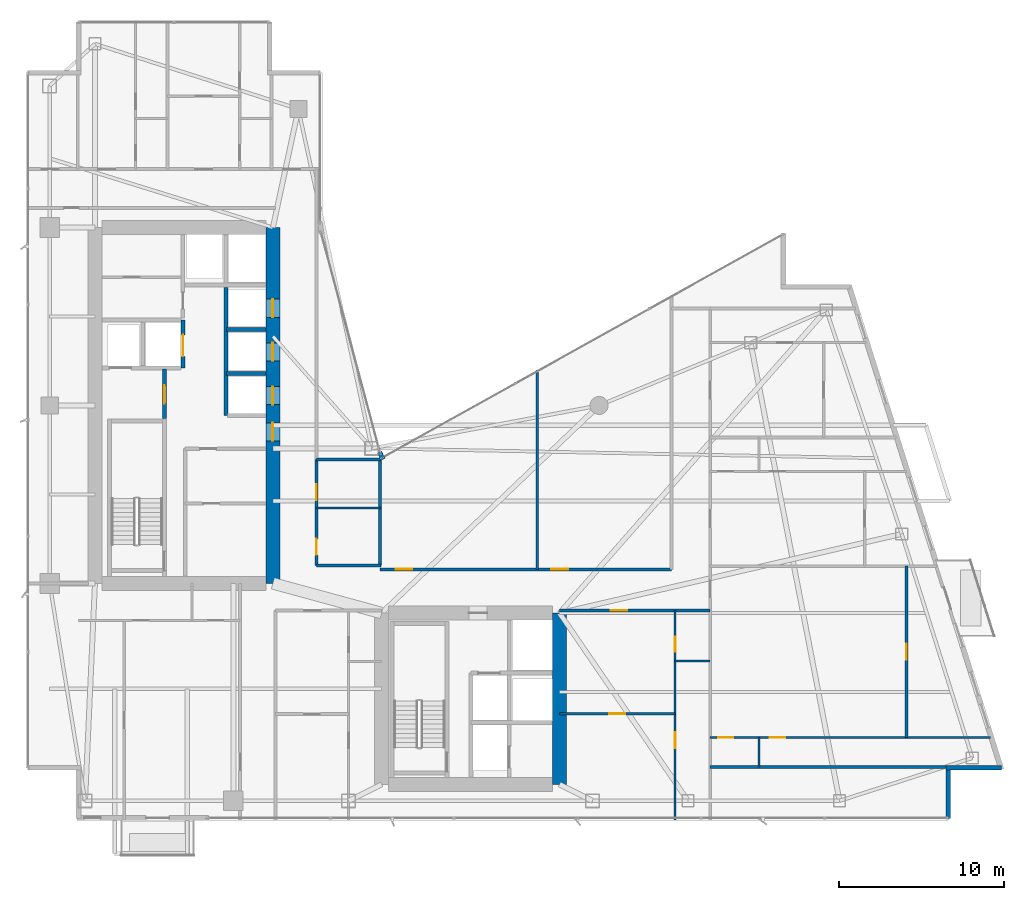
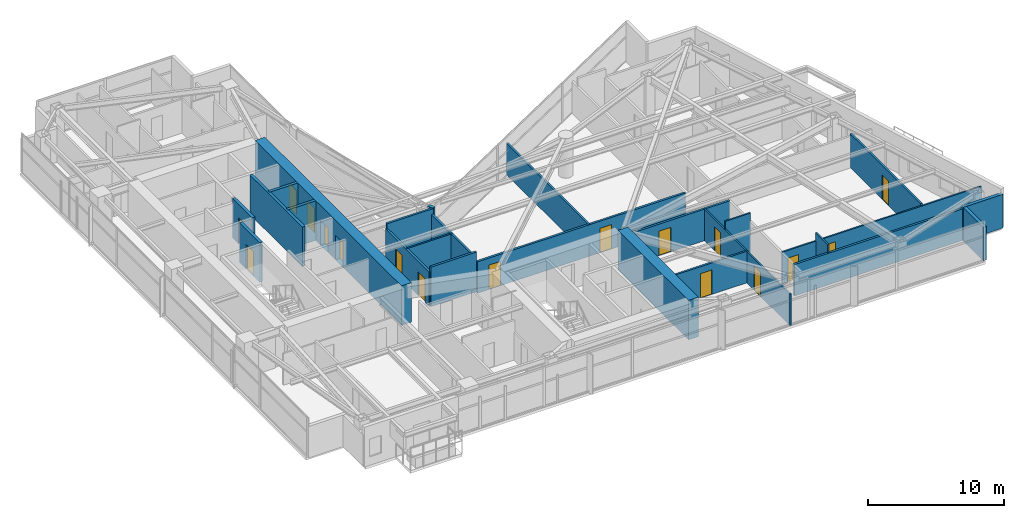
# One storey, part 23 of 28: 25 walls, 17 doors, 17 openings.
"""IFC4 building model written with IfcOpenShell, lengths in metres."""

from ifc_helpers import new_model, si_unit, direction, frame, frame_2d, origin, place, context, subcontext, project, spatial, rectangle, extrude, material, layer, layer_set, type_object, element, fill, save


model = new_model("IFC4")

# Units and contexts
model_context = context("Model", 3, precision=1e-05, world=origin(), true_north=direction((0.0, 1.0)))
body_context = subcontext(model_context, "Body", "Model", "MODEL_VIEW")
ifc_project = project(units=[si_unit("LENGTHUNIT", "METRE"), si_unit("AREAUNIT", "SQUARE_METRE"), si_unit("VOLUMEUNIT", "CUBIC_METRE"), si_unit("PLANEANGLEUNIT", "RADIAN"), si_unit("MASSUNIT", "GRAM", prefix="KILO")], contexts=[model_context])

# Site, building, storey
site_placement = place(None, origin())
site = spatial("IfcSite", under=ifc_project, at=site_placement, CompositionType="ELEMENT")
building_placement = place(site_placement, origin())
building = spatial("IfcBuilding", under=site, at=building_placement, Name="Calvorn Quay Hotel", CompositionType="ELEMENT")
storey_placement = place(building_placement, frame((0.0, 0.0, 131.60009765625)))
storey = spatial("IfcBuildingStorey", under=building, at=storey_placement, Name="L32", CompositionType="ELEMENT", Elevation=131.60009765625)

# Wall, openings, doors
ifc_material_1 = material(Name="Concrete C50", Category="concrete")
ifc_layer_1 = layer(ifc_material_1, 0.85009765625)
ifc_layer_set_1 = layer_set([ifc_layer_1], Name="WL-CORE-850")
wall_type_1 = type_object("IfcWallType", Name="WL-CORE-850", PredefinedType="SHEAR", material=ifc_layer_set_1)
wall_1_placement = place(storey_placement, frame((15.0, 16.800048828125, 0.0), z_axis=(0.0, 0.0, 1.0), x_axis=(0.0, 1.0, 0.0)))
wall_1 = element("IfcWall", 1, at=wall_1_placement, inside=storey, type_object=wall_type_1, Name="West Core Shear Wall E (L32)", PredefinedType="SHEAR", context=body_context, shape_type="SweptSolid", body=[
    extrude(rectangle(XDim=21.599853515625, YDim=0.85009765625, at=frame_2d((10.7998046875, 0.0))), origin(), (0.0, 0.0, 1.0), 3.559814453125),
])
opening_1_placement = place(wall_1_placement, frame((8.64990234375, 0.0, 0.0)))
opening_1 = element("IfcOpeningElement", 2, at=opening_1_placement, cuts=wall_1, Name="Opening D-L32-CW1", PredefinedType="OPENING", context=body_context, shape_type="SweptSolid", body=[
    extrude(rectangle(XDim=1.10009765625, YDim=2.199951171875, at=frame_2d((0.550048828125, 1.10009765625))), frame((0.0, 0.43505859375, 0.0), z_axis=(0.0, -1.0, 0.0), x_axis=(1.0, 0.0, 0.0)), (0.0, 0.0, 1.0), 0.8701171875),
])
opening_2_placement = place(wall_1_placement, frame((10.85009765625, 0.0, 0.0)))
opening_2 = element("IfcOpeningElement", 3, at=opening_2_placement, cuts=wall_1, Name="Opening LD-L32-M1", PredefinedType="OPENING", context=body_context, shape_type="SweptSolid", body=[
    extrude(rectangle(XDim=1.10009765625, YDim=2.199951171875, at=frame_2d((0.550048828125, 1.10009765625))), frame((0.0, 0.43505859375, 0.0), z_axis=(0.0, -1.0, 0.0), x_axis=(1.0, 0.0, 0.0)), (0.0, 0.0, 1.0), 0.8701171875),
])
opening_3_placement = place(wall_1_placement, frame((13.5, 0.0, 0.0)))
opening_3 = element("IfcOpeningElement", 4, at=opening_3_placement, cuts=wall_1, Name="Opening LD-L32-M2", PredefinedType="OPENING", context=body_context, shape_type="SweptSolid", body=[
    extrude(rectangle(XDim=1.10009765625, YDim=2.199951171875, at=frame_2d((0.550048828125, 1.10009765625))), frame((0.0, 0.43505859375, 0.0), z_axis=(0.0, -1.0, 0.0), x_axis=(1.0, 0.0, 0.0)), (0.0, 0.0, 1.0), 0.8701171875),
])
opening_4_placement = place(wall_1_placement, frame((16.14990234375, 0.0, 0.0)))
opening_4 = element("IfcOpeningElement", 5, at=opening_4_placement, cuts=wall_1, Name="Opening LD-L32-M3", PredefinedType="OPENING", context=body_context, shape_type="SweptSolid", body=[
    extrude(rectangle(XDim=1.10009765625, YDim=2.199951171875, at=frame_2d((0.550048828125, 1.10009765625))), frame((0.0, 0.43505859375, 0.0), z_axis=(0.0, -1.0, 0.0), x_axis=(1.0, 0.0, 0.0)), (0.0, 0.0, 1.0), 0.8701171875),
])
ifc_material_2 = material(Name="Smoke-Sealed Steel Class A Fire Door", Category="steel")
door_type_1 = type_object("IfcDoorType", Name="DR-FFLOBBY-1100", OperationType="NOTDEFINED", PredefinedType="DOOR", material=ifc_material_2)
door_1_placement = place(opening_1_placement, origin())
door_1 = element("IfcDoor", 6, at=door_1_placement, inside=storey, type_object=door_type_1, Name="West Core Vestibule Fire Door (L32)", OperationType="SINGLE_SWING_LEFT", OverallHeight=2.199951171875, OverallWidth=1.10009765625, PredefinedType="DOOR", context=body_context, shape_type="SweptSolid", body=[
    extrude(rectangle(XDim=1.10009765625, YDim=2.199951171875, at=frame_2d((0.550048828125, 1.10009765625))), frame((0.0, 0.02490234375, 0.0), z_axis=(0.0, -1.0, 0.0), x_axis=(1.0, 0.0, 0.0)), (0.0, 0.0, 1.0), 0.050048828125),
])
fill(opening_1, door_1)
ifc_material_3 = material(Name="Brushed Stainless Steel Sliding Lift Landing Door", Category="steel")
door_type_2 = type_object("IfcDoorType", Name="DR-LIFT-PASS-1100", OperationType="NOTDEFINED", PredefinedType="DOOR", material=ifc_material_3)
door_2_placement = place(opening_2_placement, origin())
door_2 = element("IfcDoor", 7, at=door_2_placement, inside=storey, type_object=door_type_2, Name="Mid-Rise Lift PL-M1 Landing Door (L32)", OperationType="DOUBLE_DOOR_SLIDING", OverallHeight=2.199951171875, OverallWidth=1.10009765625, PredefinedType="DOOR", context=body_context, shape_type="SweptSolid", body=[
    extrude(rectangle(XDim=1.10009765625, YDim=2.199951171875, at=frame_2d((0.550048828125, 1.10009765625))), frame((0.0, 0.02490234375, 0.0), z_axis=(0.0, -1.0, 0.0), x_axis=(1.0, 0.0, 0.0)), (0.0, 0.0, 1.0), 0.050048828125),
])
fill(opening_2, door_2)
door_3_placement = place(opening_3_placement, origin())
door_3 = element("IfcDoor", 8, at=door_3_placement, inside=storey, type_object=door_type_2, Name="Mid-Rise Lift PL-M2 Landing Door (L32)", OperationType="DOUBLE_DOOR_SLIDING", OverallHeight=2.199951171875, OverallWidth=1.10009765625, PredefinedType="DOOR", context=body_context, shape_type="SweptSolid", body=[
    extrude(rectangle(XDim=1.10009765625, YDim=2.199951171875, at=frame_2d((0.550048828125, 1.10009765625))), frame((0.0, 0.02490234375, 0.0), z_axis=(0.0, -1.0, 0.0), x_axis=(1.0, 0.0, 0.0)), (0.0, 0.0, 1.0), 0.050048828125),
])
fill(opening_3, door_3)
door_4_placement = place(opening_4_placement, origin())
door_4 = element("IfcDoor", 9, at=door_4_placement, inside=storey, type_object=door_type_2, Name="Mid-Rise Lift PL-M3 Landing Door (L32)", OperationType="DOUBLE_DOOR_SLIDING", OverallHeight=2.199951171875, OverallWidth=1.10009765625, PredefinedType="DOOR", context=body_context, shape_type="SweptSolid", body=[
    extrude(rectangle(XDim=1.10009765625, YDim=2.199951171875, at=frame_2d((0.550048828125, 1.10009765625))), frame((0.0, 0.02490234375, 0.0), z_axis=(0.0, -1.0, 0.0), x_axis=(1.0, 0.0, 0.0)), (0.0, 0.0, 1.0), 0.050048828125),
])
fill(opening_4, door_4)

# Walls
wall_2_placement = place(storey_placement, frame((32.39990234375, 4.60009765625, 0.0), z_axis=(0.0, 0.0, 1.0), x_axis=(0.0, 1.0, 0.0)))
element("IfcWall", 10, at=wall_2_placement, inside=storey, type_object=wall_type_1, Name="East Core Shear Wall E (L32)", PredefinedType="SHEAR", context=body_context, shape_type="SweptSolid", body=[
    extrude(rectangle(XDim=10.39990234375, YDim=0.85009765625, at=frame_2d((5.199951171875, 0.0))), origin(), (0.0, 0.0, 1.0), 3.559814453125),
])
ifc_material_4 = material(Name="Acoustic Fireboard Steel-Stud Partition", Category="steel")
ifc_layer_2 = layer(ifc_material_4, 0.179931640625)
ifc_layer_set_2 = layer_set([ifc_layer_2], Name="WL-CORR-FIRE-180")
wall_type_2 = type_object("IfcWallType", Name="WL-CORR-FIRE-180", PredefinedType="PARTITIONING", material=ifc_layer_set_2)
wall_3_placement = place(storey_placement, frame((17.64990234375, 17.8798828125, 0.0), z_axis=(0.0, 0.0, 1.0), x_axis=(1.0, 0.0, 0.0)))
element("IfcWall", 11, at=wall_3_placement, inside=storey, type_object=wall_type_2, Name="Partition Wall L32-WL-HK-S", PredefinedType="PARTITIONING", context=body_context, shape_type="SweptSolid", body=[
    extrude(rectangle(XDim=3.900146484375, YDim=0.179931640625, at=frame_2d((1.9501953125, 0.0))), origin(), (0.0, 0.0, 1.0), 3.559814453125),
])
wall_4_placement = place(storey_placement, frame((17.64990234375, 24.320068359375, 0.0), z_axis=(0.0, 0.0, 1.0), x_axis=(1.0, 0.0, 0.0)))
element("IfcWall", 12, at=wall_4_placement, inside=storey, type_object=wall_type_2, Name="Partition Wall L32-WL-HK-N", PredefinedType="PARTITIONING", context=body_context, shape_type="SweptSolid", body=[
    extrude(rectangle(XDim=3.9501953125, YDim=0.179931640625, at=frame_2d((1.97509765625, 0.0))), origin(), (0.0, 0.0, 1.0), 3.559814453125),
])
wall_5_placement = place(storey_placement, frame((21.5, 17.8798828125, 0.0), z_axis=(0.0, 0.0, 1.0), x_axis=(0.0, 1.0, 0.0)))
element("IfcWall", 13, at=wall_5_placement, inside=storey, type_object=wall_type_2, Name="Partition Wall L32-WL-HK-E", PredefinedType="PARTITIONING", context=body_context, shape_type="SweptSolid", body=[
    extrude(rectangle(XDim=6.440185546875, YDim=0.179931640625, at=frame_2d((3.22021484375, 0.0))), origin(), (0.0, 0.0, 1.0), 3.08984375),
])

# Wall, openings, doors
wall_6_placement = place(storey_placement, frame((17.64990234375, 17.8798828125, 0.0), z_axis=(0.0, 0.0, 1.0), x_axis=(0.0, 1.0, 0.0)))
wall_6 = element("IfcWall", 14, at=wall_6_placement, inside=storey, type_object=wall_type_2, Name="Partition Wall L32-WL-HK-W", PredefinedType="PARTITIONING", context=body_context, shape_type="SweptSolid", body=[
    extrude(rectangle(XDim=6.440185546875, YDim=0.179931640625, at=frame_2d((3.22021484375, 0.0))), origin(), (0.0, 0.0, 1.0), 3.08984375),
])
opening_5_placement = place(wall_6_placement, frame((0.64990234375, 0.0, 0.0)))
opening_5 = element("IfcOpeningElement", 15, at=opening_5_placement, cuts=wall_6, Name="Opening D-L32-HK", PredefinedType="OPENING", context=body_context, shape_type="SweptSolid", body=[
    extrude(rectangle(XDim=0.97998046875, YDim=2.14990234375, at=frame_2d((0.489990234375, 1.074951171875))), frame((0.0, 0.099853515625, 0.0), z_axis=(0.0, -1.0, 0.0), x_axis=(1.0, 0.0, 0.0)), (0.0, 0.0, 1.0), 0.199951171875),
])
opening_6_placement = place(wall_6_placement, frame((3.969970703125, 0.0, 0.0)))
opening_6 = element("IfcOpeningElement", 16, at=opening_6_placement, cuts=wall_6, Name="Opening D-L32-NCP", PredefinedType="OPENING", context=body_context, shape_type="SweptSolid", body=[
    extrude(rectangle(XDim=0.9599609375, YDim=2.199951171875, at=frame_2d((0.47998046875, 1.10009765625))), frame((0.0, 0.099853515625, 0.0), z_axis=(0.0, -1.0, 0.0), x_axis=(1.0, 0.0, 0.0)), (0.0, 0.0, 1.0), 0.199951171875),
])
ifc_material_5 = material(Name="Painted Steel Housekeeping/Riser Fire Door", Category="steel")
door_type_3 = type_object("IfcDoorType", Name="DR-SERVICE-980", OperationType="NOTDEFINED", PredefinedType="DOOR", material=ifc_material_5)
door_5_placement = place(opening_5_placement, origin())
door_5 = element("IfcDoor", 17, at=door_5_placement, inside=storey, type_object=door_type_3, Name="Floor Housekeeping Door (L32)", OperationType="SINGLE_SWING_LEFT", OverallHeight=2.14990234375, OverallWidth=0.97998046875, PredefinedType="DOOR", context=body_context, shape_type="SweptSolid", body=[
    extrude(rectangle(XDim=0.97998046875, YDim=2.14990234375, at=frame_2d((0.489990234375, 1.074951171875))), frame((0.0, 0.02490234375, 0.0), z_axis=(0.0, -1.0, 0.0), x_axis=(1.0, 0.0, 0.0)), (0.0, 0.0, 1.0), 0.050048828125),
])
fill(opening_5, door_5)
ifc_material_6 = material(Name="Solid Timber Internal Suite Door", Category="wood")
door_type_4 = type_object("IfcDoorType", Name="DR-SUITE-INT-960", OperationType="NOTDEFINED", PredefinedType="DOOR", material=ifc_material_6)
door_6_placement = place(opening_6_placement, origin())
door_6 = element("IfcDoor", 18, at=door_6_placement, inside=storey, type_object=door_type_4, Name="Reading Alcove Door (L32)", OperationType="SINGLE_SWING_RIGHT", OverallHeight=2.199951171875, OverallWidth=0.9599609375, PredefinedType="DOOR", context=body_context, shape_type="SweptSolid", body=[
    extrude(rectangle(XDim=0.9599609375, YDim=2.199951171875, at=frame_2d((0.47998046875, 1.10009765625))), frame((0.0, 0.02490234375, 0.0), z_axis=(0.0, -1.0, 0.0), x_axis=(1.0, 0.0, 0.0)), (0.0, 0.0, 1.0), 0.050048828125),
])
fill(opening_6, door_6)

# Wall, opening, door
wall_7_placement = place(storey_placement, frame((32.39990234375, 15.14990234375, 0.0), z_axis=(0.0, 0.0, 1.0), x_axis=(1.0, 0.0, 0.0)))
wall_7 = element("IfcWall", 19, at=wall_7_placement, inside=storey, type_object=wall_type_2, Name="Partition Wall L32-WL-CORR-SE-S", PredefinedType="PARTITIONING", context=body_context, shape_type="SweptSolid", body=[
    extrude(rectangle(XDim=9.150146484375, YDim=0.179931640625, at=frame_2d((4.5751953125, 0.0))), origin(), (0.0, 0.0, 1.0), 2.83984375),
])
opening_7_placement = place(wall_7_placement, frame((3.10009765625, 0.0, 0.0)))
opening_7 = element("IfcOpeningElement", 20, at=opening_7_placement, cuts=wall_7, Name="Opening D-L32-U05", PredefinedType="OPENING", context=body_context, shape_type="SweptSolid", body=[
    extrude(rectangle(XDim=1.02001953125, YDim=2.199951171875, at=frame_2d((0.510009765625, 1.10009765625))), frame((0.0, 0.099853515625, 0.0), z_axis=(0.0, -1.0, 0.0), x_axis=(1.0, 0.0, 0.0)), (0.0, 0.0, 1.0), 0.199951171875),
])
ifc_material_7 = material(Name="Solid-Core Walnut Veneer Hotel Fire Door")
door_type_5 = type_object("IfcDoorType", Name="DR-GUEST-ENTRY-1020", OperationType="NOTDEFINED", PredefinedType="DOOR", material=ifc_material_7)
door_7_placement = place(opening_7_placement, origin())
door_7 = element("IfcDoor", 21, at=door_7_placement, inside=storey, type_object=door_type_5, Name="South-East Unit Door U05 (L32)", OperationType="SINGLE_SWING_LEFT", OverallHeight=2.199951171875, OverallWidth=1.02001953125, PredefinedType="DOOR", context=body_context, shape_type="SweptSolid", body=[
    extrude(rectangle(XDim=1.02001953125, YDim=2.199951171875, at=frame_2d((0.510009765625, 1.10009765625))), frame((0.0, 0.02490234375, 0.0), z_axis=(0.0, -1.0, 0.0), x_axis=(1.0, 0.0, 0.0)), (0.0, 0.0, 1.0), 0.050048828125),
])
fill(opening_7, door_7)

# Wall, openings, doors
wall_8_placement = place(storey_placement, frame((21.5, 17.64990234375, 0.0), z_axis=(0.0, 0.0, 1.0), x_axis=(1.0, 0.0, 0.0)))
wall_8 = element("IfcWall", 22, at=wall_8_placement, inside=storey, type_object=wall_type_2, Name="Partition Wall L32-WL-CORR-NE-N", PredefinedType="PARTITIONING", context=body_context, shape_type="SweptSolid", body=[
    extrude(rectangle(XDim=17.699951171875, YDim=0.179931640625, at=frame_2d((8.85009765625, 0.0))), origin(), (0.0, 0.0, 1.0), 2.83984375),
])
opening_8_placement = place(wall_8_placement, frame((0.949951171875, 0.0, 0.0)))
opening_8 = element("IfcOpeningElement", 23, at=opening_8_placement, cuts=wall_8, Name="Opening D-L32-NS1", PredefinedType="OPENING", context=body_context, shape_type="SweptSolid", body=[
    extrude(rectangle(XDim=1.02001953125, YDim=2.199951171875, at=frame_2d((0.510009765625, 1.10009765625))), frame((0.0, 0.099853515625, 0.0), z_axis=(0.0, -1.0, 0.0), x_axis=(1.0, 0.0, 0.0)), (0.0, 0.0, 1.0), 0.199951171875),
])
opening_9_placement = place(wall_8_placement, frame((10.39990234375, 0.0, 0.0)))
opening_9 = element("IfcOpeningElement", 24, at=opening_9_placement, cuts=wall_8, Name="Opening D-L32-NS2", PredefinedType="OPENING", context=body_context, shape_type="SweptSolid", body=[
    extrude(rectangle(XDim=1.02001953125, YDim=2.199951171875, at=frame_2d((0.510009765625, 1.10009765625))), frame((0.0, 0.099853515625, 0.0), z_axis=(0.0, -1.0, 0.0), x_axis=(1.0, 0.0, 0.0)), (0.0, 0.0, 1.0), 0.199951171875),
])
door_8_placement = place(opening_8_placement, origin())
door_8 = element("IfcDoor", 25, at=door_8_placement, inside=storey, type_object=door_type_5, Name="Conservatory Salon Door 1 (L32)", OperationType="SINGLE_SWING_RIGHT", OverallHeight=2.199951171875, OverallWidth=1.02001953125, PredefinedType="DOOR", context=body_context, shape_type="SweptSolid", body=[
    extrude(rectangle(XDim=1.02001953125, YDim=2.199951171875, at=frame_2d((0.510009765625, 1.10009765625))), frame((0.0, 0.02490234375, 0.0), z_axis=(0.0, -1.0, 0.0), x_axis=(1.0, 0.0, 0.0)), (0.0, 0.0, 1.0), 0.050048828125),
])
fill(opening_8, door_8)
door_9_placement = place(opening_9_placement, origin())
door_9 = element("IfcDoor", 26, at=door_9_placement, inside=storey, type_object=door_type_5, Name="Conservatory Salon Door 2 (L32)", OperationType="SINGLE_SWING_LEFT", OverallHeight=2.199951171875, OverallWidth=1.02001953125, PredefinedType="DOOR", context=body_context, shape_type="SweptSolid", body=[
    extrude(rectangle(XDim=1.02001953125, YDim=2.199951171875, at=frame_2d((0.510009765625, 1.10009765625))), frame((0.0, 0.02490234375, 0.0), z_axis=(0.0, -1.0, 0.0), x_axis=(1.0, 0.0, 0.0)), (0.0, 0.0, 1.0), 0.050048828125),
])
fill(opening_9, door_9)

# Walls
wall_9_placement = place(storey_placement, frame((41.550048828125, 5.659912109375, 0.0), z_axis=(0.0, 0.0, 1.0), x_axis=(1.0, 0.0, 0.0)))
element("IfcWall", 27, at=wall_9_placement, inside=storey, type_object=wall_type_2, Name="Partition Wall L32-WL-TIP-S", PredefinedType="PARTITIONING", context=body_context, shape_type="SweptSolid", body=[
    extrude(rectangle(XDim=14.449951171875, YDim=0.179931640625, at=frame_2d((7.22509765625, 0.0))), origin(), (0.0, 0.0, 1.0), 2.83984375),
])
ifc_material_8 = material(Name="Moisture-Resistant Tile-Backed Partition")
ifc_layer_3 = layer(ifc_material_8, 0.125)
ifc_layer_set_3 = layer_set([ifc_layer_3], Name="WL-ENSUITE-125")
wall_type_3 = type_object("IfcWallType", Name="WL-ENSUITE-125", PredefinedType="PARTITIONING", material=ifc_layer_set_3)
wall_10_placement = place(storey_placement, frame((17.64990234375, 21.3798828125, 0.0), z_axis=(0.0, 0.0, 1.0), x_axis=(1.0, 0.0, 0.0)))
element("IfcWall", 28, at=wall_10_placement, inside=storey, type_object=wall_type_3, Name="Partition Wall L32-WL-HK-M", PredefinedType="PARTITIONING", context=body_context, shape_type="SweptSolid", body=[
    extrude(rectangle(XDim=3.900146484375, YDim=0.125, at=frame_2d((1.9501953125, 0.0))), origin(), (0.0, 0.0, 1.0), 3.08984375),
])
wall_11_placement = place(storey_placement, frame((39.419921875, 12.10009765625, 0.0), z_axis=(0.0, 0.0, 1.0), x_axis=(1.0, 0.0, 0.0)))
element("IfcWall", 29, at=wall_11_placement, inside=storey, type_object=wall_type_3, Name="Partition Wall L32-WL-U05-BDV", PredefinedType="PARTITIONING", context=body_context, shape_type="SweptSolid", body=[
    extrude(rectangle(XDim=2.130126953125, YDim=0.125, at=frame_2d((1.06494140625, 0.0))), origin(), (0.0, 0.0, 1.0), 3.559814453125),
])

# Wall, openings, doors
wall_12_placement = place(storey_placement, frame((39.419921875, 2.43994140625, 0.0), z_axis=(0.0, 0.0, 1.0), x_axis=(0.0, 1.0, 0.0)))
wall_12 = element("IfcWall", 30, at=wall_12_placement, inside=storey, type_object=wall_type_3, Name="Partition Wall L32-WL-U05-BV", PredefinedType="PARTITIONING", context=body_context, shape_type="SweptSolid", body=[
    extrude(rectangle(XDim=12.7099609375, YDim=0.125, at=frame_2d((6.35498046875, 0.0))), origin(), (0.0, 0.0, 1.0), 2.83984375),
])
opening_10_placement = place(wall_12_placement, frame((4.35009765625, 0.0, 0.0)))
opening_10 = element("IfcOpeningElement", 31, at=opening_10_placement, cuts=wall_12, Name="Opening D-L32-S05", PredefinedType="OPENING", context=body_context, shape_type="SweptSolid", body=[
    extrude(rectangle(XDim=0.9599609375, YDim=2.199951171875, at=frame_2d((0.47998046875, 1.10009765625))), frame((0.0, 0.072509765625, 0.0), z_axis=(0.0, -1.0, 0.0), x_axis=(1.0, 0.0, 0.0)), (0.0, 0.0, 1.0), 0.14501953125),
])
opening_11_placement = place(wall_12_placement, frame((10.2099609375, 0.0, 0.0)))
opening_11 = element("IfcOpeningElement", 32, at=opening_11_placement, cuts=wall_12, Name="Opening D-L32-E05", PredefinedType="OPENING", context=body_context, shape_type="SweptSolid", body=[
    extrude(rectangle(XDim=0.89990234375, YDim=2.14990234375, at=frame_2d((0.449951171875, 1.074951171875))), frame((0.0, 0.072509765625, 0.0), z_axis=(0.0, -1.0, 0.0), x_axis=(1.0, 0.0, 0.0)), (0.0, 0.0, 1.0), 0.14501953125),
])
ifc_material_9 = material(Name="Moisture-Sealed Timber En-Suite Door", Category="wood")
door_type_6 = type_object("IfcDoorType", Name="DR-ENSUITE-900", OperationType="NOTDEFINED", PredefinedType="DOOR", material=ifc_material_9)
door_10_placement = place(opening_11_placement, origin())
door_10 = element("IfcDoor", 33, at=door_10_placement, inside=storey, type_object=door_type_6, Name="En-Suite Door 05", OperationType="SINGLE_SWING_RIGHT", OverallHeight=2.14990234375, OverallWidth=0.89990234375, PredefinedType="DOOR", context=body_context, shape_type="SweptSolid", body=[
    extrude(rectangle(XDim=0.89990234375, YDim=2.14990234375, at=frame_2d((0.449951171875, 1.074951171875))), frame((0.0, 0.02490234375, 0.0), z_axis=(0.0, -1.0, 0.0), x_axis=(1.0, 0.0, 0.0)), (0.0, 0.0, 1.0), 0.050048828125),
])
fill(opening_11, door_10)
door_11_placement = place(opening_10_placement, origin())
door_11 = element("IfcDoor", 34, at=door_11_placement, inside=storey, type_object=door_type_4, Name="Walk-In Wardrobe Door 05", OperationType="SINGLE_SWING_LEFT", OverallHeight=2.199951171875, OverallWidth=0.9599609375, PredefinedType="DOOR", context=body_context, shape_type="SweptSolid", body=[
    extrude(rectangle(XDim=0.9599609375, YDim=2.199951171875, at=frame_2d((0.47998046875, 1.10009765625))), frame((0.0, 0.02490234375, 0.0), z_axis=(0.0, -1.0, 0.0), x_axis=(1.0, 0.0, 0.0)), (0.0, 0.0, 1.0), 0.050048828125),
])
fill(opening_10, door_11)

# Wall
wall_13_placement = place(storey_placement, frame((44.5, 5.659912109375, 0.0), z_axis=(0.0, 0.0, 1.0), x_axis=(0.0, 1.0, 0.0)))
element("IfcWall", 35, at=wall_13_placement, inside=storey, type_object=wall_type_3, Name="Partition Wall L32-WL-U06-BDV", PredefinedType="PARTITIONING", context=body_context, shape_type="SweptSolid", body=[
    extrude(rectangle(XDim=1.7900390625, YDim=0.125, at=frame_2d((0.89501953125, 0.0))), origin(), (0.0, 0.0, 1.0), 3.559814453125),
])

# Wall, openings, doors
wall_14_placement = place(storey_placement, frame((41.550048828125, 7.449951171875, 0.0), z_axis=(0.0, 0.0, 1.0), x_axis=(1.0, 0.0, 0.0)))
wall_14 = element("IfcWall", 36, at=wall_14_placement, inside=storey, type_object=wall_type_3, Name="Partition Wall L32-WL-U06-BH", PredefinedType="PARTITIONING", context=body_context, shape_type="SweptSolid", body=[
    extrude(rectangle(XDim=17.010009765625, YDim=0.125, at=frame_2d((8.5048828125, 0.0))), origin(), (0.0, 0.0, 1.0), 2.83984375),
])
opening_12_placement = place(wall_14_placement, frame((0.5, 0.0, 0.0)))
opening_12 = element("IfcOpeningElement", 37, at=opening_12_placement, cuts=wall_14, Name="Opening D-L32-E06", PredefinedType="OPENING", context=body_context, shape_type="SweptSolid", body=[
    extrude(rectangle(XDim=0.89990234375, YDim=2.14990234375, at=frame_2d((0.449951171875, 1.074951171875))), frame((0.0, 0.072509765625, 0.0), z_axis=(0.0, -1.0, 0.0), x_axis=(1.0, 0.0, 0.0)), (0.0, 0.0, 1.0), 0.14501953125),
])
opening_13_placement = place(wall_14_placement, frame((3.60009765625, 0.0, 0.0)))
opening_13 = element("IfcOpeningElement", 38, at=opening_13_placement, cuts=wall_14, Name="Opening D-L32-S06", PredefinedType="OPENING", context=body_context, shape_type="SweptSolid", body=[
    extrude(rectangle(XDim=0.9599609375, YDim=2.199951171875, at=frame_2d((0.47998046875, 1.10009765625))), frame((0.0, 0.072509765625, 0.0), z_axis=(0.0, -1.0, 0.0), x_axis=(1.0, 0.0, 0.0)), (0.0, 0.0, 1.0), 0.14501953125),
])
door_12_placement = place(opening_12_placement, origin())
door_12 = element("IfcDoor", 39, at=door_12_placement, inside=storey, type_object=door_type_6, Name="En-Suite Door 06", OperationType="SINGLE_SWING_LEFT", OverallHeight=2.14990234375, OverallWidth=0.89990234375, PredefinedType="DOOR", context=body_context, shape_type="SweptSolid", body=[
    extrude(rectangle(XDim=0.89990234375, YDim=2.14990234375, at=frame_2d((0.449951171875, 1.074951171875))), frame((0.0, 0.02490234375, 0.0), z_axis=(0.0, -1.0, 0.0), x_axis=(1.0, 0.0, 0.0)), (0.0, 0.0, 1.0), 0.050048828125),
])
fill(opening_12, door_12)
door_13_placement = place(opening_13_placement, origin())
door_13 = element("IfcDoor", 40, at=door_13_placement, inside=storey, type_object=door_type_4, Name="Walk-In Wardrobe Door 06", OperationType="SINGLE_SWING_RIGHT", OverallHeight=2.199951171875, OverallWidth=0.9599609375, PredefinedType="DOOR", context=body_context, shape_type="SweptSolid", body=[
    extrude(rectangle(XDim=0.9599609375, YDim=2.199951171875, at=frame_2d((0.47998046875, 1.10009765625))), frame((0.0, 0.02490234375, 0.0), z_axis=(0.0, -1.0, 0.0), x_axis=(1.0, 0.0, 0.0)), (0.0, 0.0, 1.0), 0.050048828125),
])
fill(opening_13, door_13)

# Walls
ifc_material_10 = material(Name="Concrete C40", Category="concrete")
ifc_layer_4 = layer(ifc_material_10, 0.320068359375)
ifc_layer_set_4 = layer_set([ifc_layer_4], Name="WL-EXT-SPANDREL-320")
wall_type_4 = type_object("IfcWallType", Name="WL-EXT-SPANDREL-320", PredefinedType="SOLIDWALL", material=ifc_layer_set_4)
wall_15_placement = place(storey_placement, frame((21.679931640625, 24.340087890625, 0.0), z_axis=(0.0, 0.0, 1.0), x_axis=(-0.40758134973, 0.913168901875, 0.0)))
element("IfcWall", 41, at=wall_15_placement, inside=storey, type_object=wall_type_4, Name="Inner Court Corner Pier L32-ICJ1", PredefinedType="SOLIDWALL", context=body_context, shape_type="SweptSolid", body=[
    extrude(rectangle(XDim=0.470703125, YDim=0.280029296875, at=frame_2d((0.2353515625, 0.0))), origin(), (0.0, 0.0, 1.0), 3.559814453125),
])
wall_16_placement = place(storey_placement, frame((56.0, 2.52001953125, 0.0), z_axis=(0.0, 0.0, 1.0), x_axis=(0.0, 1.0, 0.0)))
element("IfcWall", 42, at=wall_16_placement, inside=storey, type_object=wall_type_4, Name="Notched Corner Spandrel L32-SE1", PredefinedType="SOLIDWALL", context=body_context, shape_type="SweptSolid", body=[
    extrude(rectangle(XDim=2.93994140625, YDim=0.280029296875, at=frame_2d((1.469970703125, 0.0))), origin(), (0.0, 0.0, 1.0), 3.039794921875),
])
wall_17_placement = place(storey_placement, frame((55.860107421875, 5.60009765625, 0.0), z_axis=(0.0, 0.0, 1.0), x_axis=(1.0, 0.0, 0.0)))
element("IfcWall", 43, at=wall_17_placement, inside=storey, type_object=wall_type_4, Name="Notched Corner Spandrel L32-SE2", PredefinedType="SOLIDWALL", context=body_context, shape_type="SweptSolid", body=[
    extrude(rectangle(XDim=3.3798828125, YDim=0.280029296875, at=frame_2d((1.68994140625, 0.0))), origin(), (0.0, 0.0, 1.0), 3.039794921875),
])

# Wall, opening, door
ifc_material_11 = material(Name="Double-Stud Acoustic Gypsum Partition")
ifc_layer_5 = layer(ifc_material_11, 0.159912109375)
ifc_layer_set_5 = layer_set([ifc_layer_5], Name="WL-INTERSUITE-160")
wall_type_5 = type_object("IfcWallType", Name="WL-INTERSUITE-160", PredefinedType="PARTITIONING", material=ifc_layer_set_5)
wall_18_placement = place(storey_placement, frame((32.39990234375, 8.8798828125, 0.0), z_axis=(0.0, 0.0, 1.0), x_axis=(1.0, 0.0, 0.0)))
wall_18 = element("IfcWall", 44, at=wall_18_placement, inside=storey, type_object=wall_type_5, Name="Partition Wall L32-WL-U05-MSP", PredefinedType="PARTITIONING", context=body_context, shape_type="SweptSolid", body=[
    extrude(rectangle(XDim=7.02001953125, YDim=0.159912109375, at=frame_2d((3.510009765625, 0.0))), origin(), (0.0, 0.0, 1.0), 2.83984375),
])
opening_14_placement = place(wall_18_placement, frame((3.030029296875, 0.0, 0.0)))
opening_14 = element("IfcOpeningElement", 45, at=opening_14_placement, cuts=wall_18, Name="Opening D-L32-M05", PredefinedType="OPENING", context=body_context, shape_type="SweptSolid", body=[
    extrude(rectangle(XDim=0.9599609375, YDim=2.199951171875, at=frame_2d((0.47998046875, 1.10009765625))), frame((0.0, 0.08984375, 0.0), z_axis=(0.0, -1.0, 0.0), x_axis=(1.0, 0.0, 0.0)), (0.0, 0.0, 1.0), 0.179931640625),
])
door_14_placement = place(opening_14_placement, origin())
door_14 = element("IfcDoor", 46, at=door_14_placement, inside=storey, type_object=door_type_4, Name="Suite Bedroom Door 05", OperationType="SINGLE_SWING_LEFT", OverallHeight=2.199951171875, OverallWidth=0.9599609375, PredefinedType="DOOR", context=body_context, shape_type="SweptSolid", body=[
    extrude(rectangle(XDim=0.9599609375, YDim=2.199951171875, at=frame_2d((0.47998046875, 1.10009765625))), frame((0.0, 0.02490234375, 0.0), z_axis=(0.0, -1.0, 0.0), x_axis=(1.0, 0.0, 0.0)), (0.0, 0.0, 1.0), 0.050048828125),
])
fill(opening_14, door_14)

# Wall
wall_19_placement = place(storey_placement, frame((31.050048828125, 17.64990234375, 0.0), z_axis=(0.0, 0.0, 1.0), x_axis=(0.0, 1.0, 0.0)))
element("IfcWall", 47, at=wall_19_placement, inside=storey, type_object=wall_type_5, Name="Partition Wall L32-WL-NE-DIV-1", PredefinedType="PARTITIONING", context=body_context, shape_type="SweptSolid", body=[
    extrude(rectangle(XDim=12.10009765625, YDim=0.159912109375, at=frame_2d((6.050048828125, 0.0))), origin(), (0.0, 0.0, 1.0), 2.83984375),
])

# Wall, opening, door
wall_20_placement = place(storey_placement, frame((53.4599609375, 7.449951171875, 0.0), z_axis=(0.0, 0.0, 1.0), x_axis=(0.0, 1.0, 0.0)))
wall_20 = element("IfcWall", 48, at=wall_20_placement, inside=storey, type_object=wall_type_5, Name="Partition Wall L32-WL-U06-MSP", PredefinedType="PARTITIONING", context=body_context, shape_type="SweptSolid", body=[
    extrude(rectangle(XDim=10.400146484375, YDim=0.159912109375, at=frame_2d((5.2001953125, 0.0))), origin(), (0.0, 0.0, 1.0), 3.039794921875),
])
opening_15_placement = place(wall_20_placement, frame((4.719970703125, 0.0, 0.0)))
opening_15 = element("IfcOpeningElement", 49, at=opening_15_placement, cuts=wall_20, Name="Opening D-L32-M06", PredefinedType="OPENING", context=body_context, shape_type="SweptSolid", body=[
    extrude(rectangle(XDim=0.9599609375, YDim=2.199951171875, at=frame_2d((0.47998046875, 1.10009765625))), frame((0.0, 0.08984375, 0.0), z_axis=(0.0, -1.0, 0.0), x_axis=(1.0, 0.0, 0.0)), (0.0, 0.0, 1.0), 0.179931640625),
])
door_15_placement = place(opening_15_placement, origin())
door_15 = element("IfcDoor", 50, at=door_15_placement, inside=storey, type_object=door_type_4, Name="Suite Bedroom Door 06", OperationType="SINGLE_SWING_LEFT", OverallHeight=2.199951171875, OverallWidth=0.9599609375, PredefinedType="DOOR", context=body_context, shape_type="SweptSolid", body=[
    extrude(rectangle(XDim=0.9599609375, YDim=2.199951171875, at=frame_2d((0.47998046875, 1.10009765625))), frame((0.0, 0.02490234375, 0.0), z_axis=(0.0, -1.0, 0.0), x_axis=(1.0, 0.0, 0.0)), (0.0, 0.0, 1.0), 0.050048828125),
])
fill(opening_15, door_15)

# Walls
ifc_material_12 = material(Name="Concrete C40", Category="concrete")
ifc_layer_6 = layer(ifc_material_12, 0.239990234375)
ifc_layer_set_6 = layer_set([ifc_layer_6], Name="WL-SHAFT-240")
wall_type_6 = type_object("IfcWallType", Name="WL-SHAFT-240", PredefinedType="SOLIDWALL", material=ifc_layer_set_6)
for number, where, z_axis, x_axis, name in (
    (51, (12.179931640625, 29.550048828125, 0.0), (0.0, 0.0, 1.0), (1.0, 0.0, 0.0), "Lift Hoistway Divider Wall PLM12 (L32)"),
    (52, (12.179931640625, 32.199951171875, 0.0), (0.0, 0.0, 1.0), (1.0, 0.0, 0.0), "Lift Hoistway Divider Wall PLM23 (L32)"),
):
    element("IfcWall", number, at=place(storey_placement, frame(where, z_axis=z_axis, x_axis=x_axis)), inside=storey, type_object=wall_type_6, Name=name, PredefinedType="SOLIDWALL", context=body_context, shape_type="SweptSolid", body=[
        extrude(rectangle(XDim=2.39501953125, YDim=0.239990234375, at=frame_2d((1.197509765625, 0.0))), origin(), (0.0, 0.0, 1.0), 3.559814453125),
    ])

# Wall, opening, door
wall_21_placement = place(storey_placement, frame((8.419921875, 26.820068359375, 0.0), z_axis=(0.0, 0.0, 1.0), x_axis=(0.0, 1.0, 0.0)))
wall_21 = element("IfcWall", 53, at=wall_21_placement, inside=storey, type_object=wall_type_6, Name="Partition Wall L32-WL-CWW-FFL-E", PredefinedType="SOLIDWALL", context=body_context, shape_type="SweptSolid", body=[
    extrude(rectangle(XDim=3.0, YDim=0.239990234375, at=frame_2d((1.5, 0.0))), origin(), (0.0, 0.0, 1.0), 3.559814453125),
])
opening_16_placement = place(wall_21_placement, frame((0.89990234375, 0.0, 0.0)))
opening_16 = element("IfcOpeningElement", 54, at=opening_16_placement, cuts=wall_21, Name="Opening D-L32-FLW", PredefinedType="OPENING", context=body_context, shape_type="SweptSolid", body=[
    extrude(rectangle(XDim=1.10009765625, YDim=2.199951171875, at=frame_2d((0.550048828125, 1.10009765625))), frame((0.0, 0.1298828125, 0.0), z_axis=(0.0, -1.0, 0.0), x_axis=(1.0, 0.0, 0.0)), (0.0, 0.0, 1.0), 0.260009765625),
])
door_16_placement = place(opening_16_placement, origin())
door_16 = element("IfcDoor", 55, at=door_16_placement, inside=storey, type_object=door_type_1, Name="West Firefighting Lobby Fire Door (L32)", OperationType="SINGLE_SWING_RIGHT", OverallHeight=2.199951171875, OverallWidth=1.10009765625, PredefinedType="DOOR", context=body_context, shape_type="SweptSolid", body=[
    extrude(rectangle(XDim=1.10009765625, YDim=2.199951171875, at=frame_2d((0.550048828125, 1.10009765625))), frame((0.0, 0.02490234375, 0.0), z_axis=(0.0, -1.0, 0.0), x_axis=(1.0, 0.0, 0.0)), (0.0, 0.0, 1.0), 0.050048828125),
])
fill(opening_16, door_16)

wall_22_placement = place(storey_placement, frame((9.5400390625, 29.8798828125, 0.0), z_axis=(0.0, 0.0, 1.0), x_axis=(0.0, 1.0, 0.0)))
wall_22 = element("IfcWall", 56, at=wall_22_placement, inside=storey, type_object=wall_type_6, Name="Partition Wall L32-WL-CWW-SLW-E", PredefinedType="SOLIDWALL", context=body_context, shape_type="SweptSolid", body=[
    extrude(rectangle(XDim=2.900146484375, YDim=0.239990234375, at=frame_2d((1.4501953125, 0.0))), origin(), (0.0, 0.0, 1.0), 3.559814453125),
])
opening_17_placement = place(wall_22_placement, frame((0.699951171875, 0.0, 0.0)))
opening_17 = element("IfcOpeningElement", 57, at=opening_17_placement, cuts=wall_22, Name="Opening LD-L32-SLW1", PredefinedType="OPENING", context=body_context, shape_type="SweptSolid", body=[
    extrude(rectangle(XDim=1.300048828125, YDim=2.35009765625, at=frame_2d((0.64990234375, 1.175048828125))), frame((0.0, 0.1298828125, 0.0), z_axis=(0.0, -1.0, 0.0), x_axis=(1.0, 0.0, 0.0)), (0.0, 0.0, 1.0), 0.260009765625),
])
ifc_material_13 = material(Name="Champagne-Bronze Sliding Express Lift Landing Door")
door_type_7 = type_object("IfcDoorType", Name="DR-LIFT-SHUTTLE-1300", OperationType="NOTDEFINED", PredefinedType="DOOR", material=ifc_material_13)
door_17_placement = place(opening_17_placement, origin())
door_17 = element("IfcDoor", 58, at=door_17_placement, inside=storey, type_object=door_type_7, Name="Service Lift SL-W1 Landing Door (L32)", OperationType="DOUBLE_DOOR_SLIDING", OverallHeight=2.35009765625, OverallWidth=1.300048828125, PredefinedType="DOOR", context=body_context, shape_type="SweptSolid", body=[
    extrude(rectangle(XDim=1.300048828125, YDim=2.35009765625, at=frame_2d((0.64990234375, 1.175048828125))), frame((0.0, 0.02490234375, 0.0), z_axis=(0.0, -1.0, 0.0), x_axis=(1.0, 0.0, 0.0)), (0.0, 0.0, 1.0), 0.050048828125),
])
fill(opening_17, door_17)

# Wall
wall_23_placement = place(storey_placement, frame((12.14990234375, 27.0, 0.0), z_axis=(0.0, 0.0, 1.0), x_axis=(0.0, 1.0, 0.0)))
element("IfcWall", 59, at=wall_23_placement, inside=storey, type_object=wall_type_6, Name="Partition Wall L32-WL-CWW-PLM-W", PredefinedType="SOLIDWALL", context=body_context, shape_type="SweptSolid", body=[
    extrude(rectangle(XDim=7.75, YDim=0.239990234375, at=frame_2d((3.875, 0.0))), origin(), (0.0, 0.0, 1.0), 3.559814453125),
])

save(model, "model.ifc")
